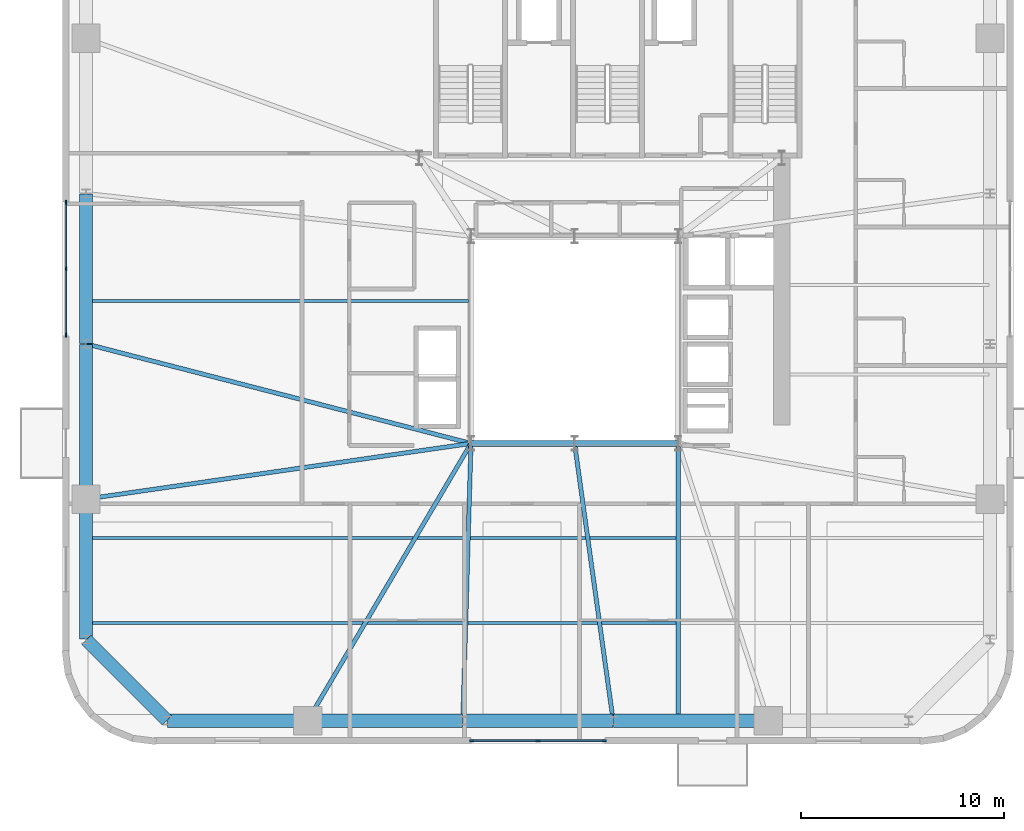
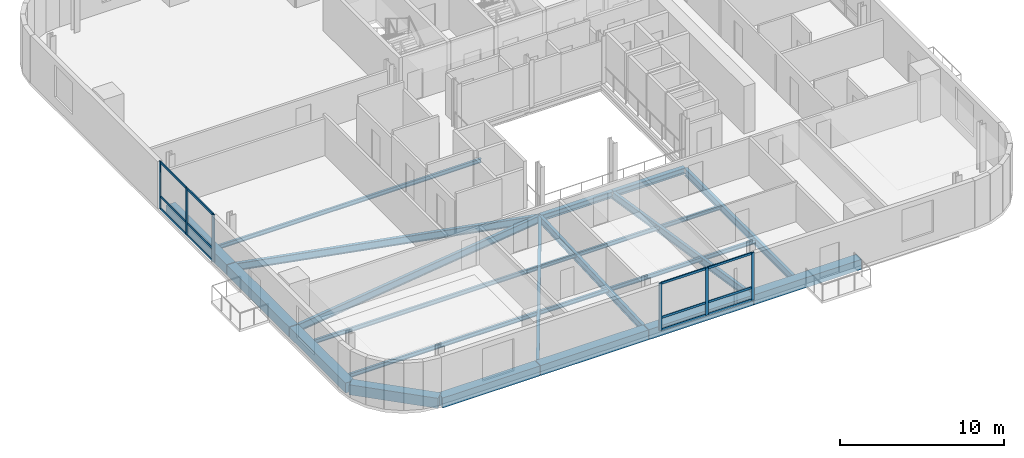
# One storey, part 3 of 15: 19 beams, 18 members, 2 elements without a shape of their own.
"""IFC4 building model written with IfcOpenShell, lengths in metres."""

from ifc_helpers import new_model, si_unit, direction, frame, origin, origin_2d, place, context, subcontext, project, spatial, rectangle, i_section, extrude, source, transform, mapped, material, material_profile, profile_set, type_object, element, aggregate, save


model = new_model("IFC4")

# Units and contexts
model_context = context("Model", 3, precision=1e-05, world=origin(), true_north=direction((0.0, 1.0)))
body_context = subcontext(model_context, "Body", "Model", "MODEL_VIEW")
ifc_project = project(units=[si_unit("LENGTHUNIT", "METRE"), si_unit("AREAUNIT", "SQUARE_METRE"), si_unit("VOLUMEUNIT", "CUBIC_METRE"), si_unit("PLANEANGLEUNIT", "RADIAN"), si_unit("MASSUNIT", "GRAM", prefix="KILO")], contexts=[model_context])

# Site, building, storey
site_placement = place(None, origin())
site = spatial("IfcSite", under=ifc_project, at=site_placement, CompositionType="ELEMENT")
building_placement = place(site_placement, origin())
building = spatial("IfcBuilding", under=site, at=building_placement, Name="Vardaveli Station Tower", CompositionType="ELEMENT")
storey_placement = place(building_placement, frame((0.0, 0.0, 229.800048828125)))
storey = spatial("IfcBuildingStorey", under=building, at=storey_placement, Name="L59", CompositionType="ELEMENT", Elevation=229.800048828125)

# Beams
ifc_material_1 = material(Name="Structural steel S355J2", Category="steel")
ifc_material_profile_1 = material_profile(ifc_material_1, i_section(OverallWidth=0.300048828125, OverallDepth=0.449951171875, WebThickness=0.013916015625, FlangeThickness=0.02587890625, FilletRadius=0.027099609375, at=origin_2d()), Name="HEB 450")
ifc_profile_set_1 = profile_set([ifc_material_profile_1], Name="Structural steel S355J2")
beam_type_1 = type_object("IfcBeamType", Name="BM-HEB450", PredefinedType="BEAM", material=ifc_profile_set_1)
shared_shape_1 = source(origin(), body_context, "Body", "SweptSolid", [
    extrude(i_section(OverallWidth=0.300048828125, OverallDepth=0.449951171875, WebThickness=0.013916015625, FlangeThickness=0.02587890625, FilletRadius=0.027099609375, at=origin_2d()), origin(), (0.0, 0.0, 1.0), 5.06005859375),
])
beam_1_placement = place(storey_placement, frame((31.219970703125, 16.60009765625, -0.445068359375), z_axis=(1.0, 0.0, 0.0), x_axis=(0.0, 1.0, 0.0)))
element("IfcBeam", 1, at=beam_1_placement, inside=storey, type_object=beam_type_1, Name="ABM-L59-01", PredefinedType="BEAM", context=body_context, shape_type="MappedRepresentation", body=[
    mapped(shared_shape_1, transform((0.0, 0.0, 0.0), scale=1.0)),
])
shared_shape_2 = source(origin(), body_context, "Body", "SweptSolid", [
    extrude(i_section(OverallWidth=0.300048828125, OverallDepth=0.449951171875, WebThickness=0.013916015625, FlangeThickness=0.02587890625, FilletRadius=0.027099609375, at=origin_2d()), origin(), (0.0, 0.0, 1.0), 5.059814453125),
])
beam_2_placement = place(storey_placement, frame((36.320068359375, 16.60009765625, -0.445068359375), z_axis=(1.0, 0.0, 0.0), x_axis=(0.0, 1.0, 0.0)))
element("IfcBeam", 2, at=beam_2_placement, inside=storey, type_object=beam_type_1, Name="ABM-L59-02", PredefinedType="BEAM", context=body_context, shape_type="MappedRepresentation", body=[
    mapped(shared_shape_2, transform((0.0, 0.0, 0.0), scale=1.0)),
])
ifc_material_2 = material(Name="Precast concrete C45/55", Category="concrete")
ifc_material_profile_2 = material_profile(ifc_material_2, rectangle(XDim=0.64990234375, YDim=0.75, at=origin_2d()), Name="LPB 650x750")
ifc_profile_set_2 = profile_set([ifc_material_profile_2], Name="Precast concrete C45/55")
beam_type_2 = type_object("IfcBeamType", Name="BM-LPB-750", PredefinedType="BEAM", material=ifc_profile_set_2)
shared_shape_3 = source(origin(), body_context, "Body", "SweptSolid", [
    extrude(rectangle(XDim=0.64990234375, YDim=0.75, at=origin_2d()), origin(), (0.0, 0.0, 1.0), 7.60009765625),
])
for number, where, z_axis, x_axis, name in (
    (3, (23.179931640625, 2.949951171875, -0.594970703125), (1.0, 0.0, 0.0), (0.0, 1.0, 0.0), "RBM-L59-01"),
    (4, (38.219970703125, 2.949951171875, -0.594970703125), (1.0, 0.0, 0.0), (0.0, 1.0, 0.0), "RBM-L59-03"),
    (5, (12.25, 21.47998046875, -0.594970703125), (0.0, -1.0, 0.0), (1.0, 0.0, 0.0), "RBM-L59-21"),
):
    element("IfcBeam", number, at=place(storey_placement, frame(where, z_axis=z_axis, x_axis=x_axis)), inside=storey, type_object=beam_type_2, Name=name, PredefinedType="BEAM", context=body_context, shape_type="MappedRepresentation", body=[
        mapped(shared_shape_3, transform((0.0, 0.0, 0.0), scale=1.0)),
    ])
shared_shape_4 = source(origin(), body_context, "Body", "SweptSolid", [
    extrude(rectangle(XDim=0.64990234375, YDim=0.75, at=origin_2d()), origin(), (0.0, 0.0, 1.0), 7.35986328125),
])
for number, where, z_axis, x_axis, name in (
    (6, (30.820068359375, 2.949951171875, -0.594970703125), (1.0, 0.0, 0.0), (0.0, 1.0, 0.0), "RBM-L59-02"),
    (7, (12.25, 28.8798828125, -0.594970703125), (0.0, -1.0, 0.0), (1.0, 0.0, 0.0), "RBM-L59-20"),
):
    element("IfcBeam", number, at=place(storey_placement, frame(where, z_axis=z_axis, x_axis=x_axis)), inside=storey, type_object=beam_type_2, Name=name, PredefinedType="BEAM", context=body_context, shape_type="MappedRepresentation", body=[
        mapped(shared_shape_4, transform((0.0, 0.0, 0.0), scale=1.0)),
    ])
shared_shape_5 = source(origin(), body_context, "Body", "SweptSolid", [
    extrude(rectangle(XDim=0.64990234375, YDim=0.75, at=origin_2d()), origin(), (0.0, 0.0, 1.0), 6.869873046875),
])
beam_3_placement = place(storey_placement, frame((16.27001953125, 2.949951171875, -0.594970703125), z_axis=(1.0, 0.0, 0.0), x_axis=(0.0, 1.0, 0.0)))
element("IfcBeam", 8, at=beam_3_placement, inside=storey, type_object=beam_type_2, Name="RBM-L59-24", PredefinedType="BEAM", context=body_context, shape_type="MappedRepresentation", body=[
    mapped(shared_shape_5, transform((0.0, 0.0, 0.0), scale=1.0)),
])
shared_shape_6 = source(origin(), body_context, "Body", "SweptSolid", [
    extrude(rectangle(XDim=0.64990234375, YDim=0.75, at=origin_2d()), origin(), (0.0, 0.0, 1.0), 5.61669921875),
])
beam_4_placement = place(storey_placement, frame((12.26416015625, 6.935791015625, -0.594970703125), z_axis=(0.707106781187, -0.707106781187, 0.0), x_axis=(0.707106781187, 0.707106781187, 0.0)))
element("IfcBeam", 9, at=beam_4_placement, inside=storey, type_object=beam_type_2, Name="RBM-L59-23", PredefinedType="BEAM", context=body_context, shape_type="MappedRepresentation", body=[
    mapped(shared_shape_6, transform((0.0, 0.0, 0.0), scale=1.0)),
])
shared_shape_7 = source(origin(), body_context, "Body", "SweptSolid", [
    extrude(rectangle(XDim=0.64990234375, YDim=0.75, at=origin_2d()), origin(), (0.0, 0.0, 1.0), 6.8701171875),
])
beam_5_placement = place(storey_placement, frame((12.25, 13.840087890625, -0.594970703125), z_axis=(0.0, -1.0, 0.0), x_axis=(1.0, 0.0, 0.0)))
element("IfcBeam", 10, at=beam_5_placement, inside=storey, type_object=beam_type_2, Name="RBM-L59-22", PredefinedType="BEAM", context=body_context, shape_type="MappedRepresentation", body=[
    mapped(shared_shape_7, transform((0.0, 0.0, 0.0), scale=1.0)),
])
ifc_material_profile_3 = material_profile(ifc_material_1, i_section(OverallWidth=0.2099609375, OverallDepth=0.550048828125, WebThickness=0.010986328125, FlangeThickness=0.01708984375, FilletRadius=0.02392578125, at=origin_2d()), Name="IPE 550")
ifc_profile_set_3 = profile_set([ifc_material_profile_3], Name="Structural steel S355J2")
beam_type_3 = type_object("IfcBeamType", Name="BM-IPE550", PredefinedType="BEAM", material=ifc_profile_set_3)
shared_shape_8 = source(origin(), body_context, "Body", "SweptSolid", [
    extrude(i_section(OverallWidth=0.2099609375, OverallDepth=0.550048828125, WebThickness=0.010986328125, FlangeThickness=0.01708984375, FilletRadius=0.02392578125, at=origin_2d()), origin(), (0.0, 0.0, 1.0), 13.469970703125),
])
beam_6_placement = place(storey_placement, frame((41.39990234375, 2.989990234375, -0.4951171875), z_axis=(0.0, 1.0, 0.0), x_axis=(-1.0, 0.0, 0.0)))
element("IfcBeam", 11, at=beam_6_placement, inside=storey, type_object=beam_type_3, Name="NSM-L59-S2", PredefinedType="BEAM", context=body_context, shape_type="MappedRepresentation", body=[
    mapped(shared_shape_8, transform((0.0, 0.0, 0.0), scale=1.0)),
])
shared_shape_9 = source(origin(), body_context, "Body", "SweptSolid", [
    extrude(i_section(OverallWidth=0.2099609375, OverallDepth=0.550048828125, WebThickness=0.010986328125, FlangeThickness=0.01708984375, FilletRadius=0.02392578125, at=origin_2d()), origin(), (0.0, 0.0, 1.0), 15.8017578125),
])
beam_7_placement = place(storey_placement, frame((23.170166015625, 2.96728515625, -0.4951171875), z_axis=(0.507521713546, 0.86163896748, 0.0), x_axis=(-0.86163896748, 0.507521713546, 0.0)))
element("IfcBeam", 12, at=beam_7_placement, inside=storey, type_object=beam_type_3, Name="GBM-L59-01", PredefinedType="BEAM", context=body_context, shape_type="MappedRepresentation", body=[
    mapped(shared_shape_9, transform((0.0, 0.0, 0.0), scale=1.0)),
])
shared_shape_10 = source(origin(), body_context, "Body", "SweptSolid", [
    extrude(i_section(OverallWidth=0.2099609375, OverallDepth=0.550048828125, WebThickness=0.010986328125, FlangeThickness=0.01708984375, FilletRadius=0.02392578125, at=origin_2d()), origin(), (0.0, 0.0, 1.0), 13.615966796875),
])
beam_8_placement = place(storey_placement, frame((30.800537109375, 2.969970703125, -0.4951171875), z_axis=(0.029298411379, 0.9995707094, 0.0), x_axis=(-0.9995707094, 0.029298411379, 0.0)))
element("IfcBeam", 13, at=beam_8_placement, inside=storey, type_object=beam_type_3, Name="GBM-L59-02", PredefinedType="BEAM", context=body_context, shape_type="MappedRepresentation", body=[
    mapped(shared_shape_10, transform((0.0, 0.0, 0.0), scale=1.0)),
])
shared_shape_11 = source(origin(), body_context, "Body", "SweptSolid", [
    extrude(i_section(OverallWidth=0.2099609375, OverallDepth=0.550048828125, WebThickness=0.010986328125, FlangeThickness=0.01708984375, FilletRadius=0.02392578125, at=origin_2d()), origin(), (0.0, 0.0, 1.0), 13.741455078125),
])
beam_9_placement = place(storey_placement, frame((38.197265625, 2.9697265625, -0.4951171875), z_axis=(-0.137868554024, 0.990450534762, 0.0), x_axis=(-0.990450534762, -0.137868554024, 0.0)))
element("IfcBeam", 14, at=beam_9_placement, inside=storey, type_object=beam_type_3, Name="GBM-L59-03", PredefinedType="BEAM", context=body_context, shape_type="MappedRepresentation", body=[
    mapped(shared_shape_11, transform((0.0, 0.0, 0.0), scale=1.0)),
])
shared_shape_12 = source(origin(), body_context, "Body", "SweptSolid", [
    extrude(i_section(OverallWidth=0.2099609375, OverallDepth=0.550048828125, WebThickness=0.010986328125, FlangeThickness=0.01708984375, FilletRadius=0.02392578125, at=origin_2d()), origin(), (0.0, 0.0, 1.0), 19.533447265625),
])
beam_10_placement = place(storey_placement, frame((12.269287109375, 21.494873046875, -0.4951171875), z_axis=(0.968159081778, -0.250335759272, 0.0), x_axis=(0.250335759272, 0.968159081778, 0.0)))
element("IfcBeam", 15, at=beam_10_placement, inside=storey, type_object=beam_type_3, Name="GBM-L59-09", PredefinedType="BEAM", context=body_context, shape_type="MappedRepresentation", body=[
    mapped(shared_shape_12, transform((0.0, 0.0, 0.0), scale=1.0)),
])
shared_shape_13 = source(origin(), body_context, "Body", "SweptSolid", [
    extrude(i_section(OverallWidth=0.2099609375, OverallDepth=0.550048828125, WebThickness=0.010986328125, FlangeThickness=0.01708984375, FilletRadius=0.02392578125, at=origin_2d()), origin(), (0.0, 0.0, 1.0), 19.107177734375),
])
beam_11_placement = place(storey_placement, frame((12.269775390625, 13.86279296875, -0.4951171875), z_axis=(0.989707072711, 0.143108036903, 0.0), x_axis=(-0.143108036903, 0.989707072711, 0.0)))
element("IfcBeam", 16, at=beam_11_placement, inside=storey, type_object=beam_type_3, Name="GBM-L59-10", PredefinedType="BEAM", context=body_context, shape_type="MappedRepresentation", body=[
    mapped(shared_shape_13, transform((0.0, 0.0, 0.0), scale=1.0)),
])
ifc_material_profile_4 = material_profile(ifc_material_1, i_section(OverallWidth=0.14990234375, OverallDepth=0.300048828125, WebThickness=0.007080078125, FlangeThickness=0.0107421875, FilletRadius=0.014892578125, at=origin_2d()), Name="IPE 300")
ifc_profile_set_4 = profile_set([ifc_material_profile_4], Name="Structural steel S355J2")
beam_type_4 = type_object("IfcBeamType", Name="BM-IPE300", PredefinedType="JOIST", material=ifc_profile_set_4)
shared_shape_14 = source(origin(), body_context, "Body", "SweptSolid", [
    extrude(i_section(OverallWidth=0.14990234375, OverallDepth=0.300048828125, WebThickness=0.007080078125, FlangeThickness=0.0107421875, FilletRadius=0.014892578125, at=origin_2d()), origin(), (0.0, 0.0, 1.0), 28.998046875),
])
for number, where, z_axis, x_axis, name in (
    (17, (12.2900390625, 7.75, -0.3701171875), (1.0, 0.0, 0.0), (0.0, 1.0, 0.0), "SJ-L59-S01"),
    (18, (12.2900390625, 11.949951171875, -0.3701171875), (1.0, 0.0, 0.0), (0.0, 1.0, 0.0), "SJ-L59-S03"),
):
    element("IfcBeam", number, at=place(storey_placement, frame(where, z_axis=z_axis, x_axis=x_axis)), inside=storey, type_object=beam_type_4, Name=name, PredefinedType="JOIST", context=body_context, shape_type="MappedRepresentation", body=[
        mapped(shared_shape_14, transform((0.0, 0.0, 0.0), scale=1.0)),
    ])
shared_shape_15 = source(origin(), body_context, "Body", "SweptSolid", [
    extrude(i_section(OverallWidth=0.14990234375, OverallDepth=0.300048828125, WebThickness=0.007080078125, FlangeThickness=0.0107421875, FilletRadius=0.014892578125, at=origin_2d()), origin(), (0.0, 0.0, 1.0), 18.7978515625),
])
beam_12_placement = place(storey_placement, frame((12.2900390625, 23.60009765625, -0.3701171875), z_axis=(1.0, 0.0, 0.0), x_axis=(0.0, 1.0, 0.0)))
element("IfcBeam", 19, at=beam_12_placement, inside=storey, type_object=beam_type_4, Name="SJ-L59-W06", PredefinedType="JOIST", context=body_context, shape_type="MappedRepresentation", body=[
    mapped(shared_shape_15, transform((0.0, 0.0, 0.0), scale=1.0)),
])

# Curtain wall, members
ifc_material_3 = material(Name="Travertine stone and solar-control glass", Category="masonry")
curtain_wall_type = type_object("IfcCurtainWallType", Name="CW-SYS-5", PredefinedType="NOTDEFINED", material=ifc_material_3)
curtain_wall_1_placement = place(storey_placement, origin())
curtain_wall_1 = element("IfcCurtainWall", 20, at=curtain_wall_1_placement, inside=storey, type_object=curtain_wall_type, Name="CW-L59-S", PredefinedType="NOTDEFINED")
ifc_material_4 = material(Name="Anodised aluminium alloy 6063-T6", Category="aluminium")
ifc_material_profile_5 = material_profile(ifc_material_4, rectangle(XDim=0.080078125, YDim=0.1650390625, at=origin_2d()), Name="CWT 80x165")
ifc_profile_set_5 = profile_set([ifc_material_profile_5], Name="Anodised aluminium alloy 6063-T6")
member_type_1 = type_object("IfcMemberType", Name="CW-SYS-5-TRAN", PredefinedType="NOTDEFINED", material=ifc_profile_set_5)
shared_shape_16 = source(origin(), body_context, "Body", "SweptSolid", [
    extrude(rectangle(XDim=0.080078125, YDim=0.1650390625, at=origin_2d()), origin(), (0.0, 0.0, 1.0), 3.179931640625),
])
member_1_placement = place(storey_placement, frame((31.280029296875, 1.9599609375, 0.0400390625), z_axis=(1.0, 0.0, 0.0), x_axis=(0.0, 1.0, 0.0)))
member_1 = element("IfcMember", 21, at=member_1_placement, type_object=member_type_1, Name="CW-5 transom 1.1", ObjectType="TRANSOM", PredefinedType="USERDEFINED", context=body_context, shape_type="MappedRepresentation", body=[
    mapped(shared_shape_16, transform((0.0, 0.0, 0.0), scale=1.0)),
])
member_2_placement = place(storey_placement, frame((31.280029296875, 1.9599609375, 0.949951171875), z_axis=(1.0, 0.0, 0.0), x_axis=(0.0, 1.0, 0.0)))
member_2 = element("IfcMember", 22, at=member_2_placement, type_object=member_type_1, Name="CW-5 transom 1.2", ObjectType="TRANSOM", PredefinedType="USERDEFINED", context=body_context, shape_type="MappedRepresentation", body=[
    mapped(shared_shape_16, transform((0.0, 0.0, 0.0), scale=1.0)),
])
member_3_placement = place(storey_placement, frame((31.280029296875, 1.9599609375, 3.489990234375), z_axis=(1.0, 0.0, 0.0), x_axis=(0.0, 1.0, 0.0)))
member_3 = element("IfcMember", 23, at=member_3_placement, type_object=member_type_1, Name="CW-5 transom 1.3", ObjectType="TRANSOM", PredefinedType="USERDEFINED", context=body_context, shape_type="MappedRepresentation", body=[
    mapped(shared_shape_16, transform((0.0, 0.0, 0.0), scale=1.0)),
])
member_4_placement = place(storey_placement, frame((34.5400390625, 1.9599609375, 0.0400390625), z_axis=(1.0, 0.0, 0.0), x_axis=(0.0, 1.0, 0.0)))
member_4 = element("IfcMember", 24, at=member_4_placement, type_object=member_type_1, Name="CW-5 transom 2.1", ObjectType="TRANSOM", PredefinedType="USERDEFINED", context=body_context, shape_type="MappedRepresentation", body=[
    mapped(shared_shape_16, transform((0.0, 0.0, 0.0), scale=1.0)),
])
member_5_placement = place(storey_placement, frame((34.5400390625, 1.9599609375, 0.949951171875), z_axis=(1.0, 0.0, 0.0), x_axis=(0.0, 1.0, 0.0)))
member_5 = element("IfcMember", 25, at=member_5_placement, type_object=member_type_1, Name="CW-5 transom 2.2", ObjectType="TRANSOM", PredefinedType="USERDEFINED", context=body_context, shape_type="MappedRepresentation", body=[
    mapped(shared_shape_16, transform((0.0, 0.0, 0.0), scale=1.0)),
])
member_6_placement = place(storey_placement, frame((34.5400390625, 1.9599609375, 3.489990234375), z_axis=(1.0, 0.0, 0.0), x_axis=(0.0, 1.0, 0.0)))
member_6 = element("IfcMember", 26, at=member_6_placement, type_object=member_type_1, Name="CW-5 transom 2.3", ObjectType="TRANSOM", PredefinedType="USERDEFINED", context=body_context, shape_type="MappedRepresentation", body=[
    mapped(shared_shape_16, transform((0.0, 0.0, 0.0), scale=1.0)),
])

curtain_wall_2_placement = place(storey_placement, origin())
curtain_wall_2 = element("IfcCurtainWall", 27, at=curtain_wall_2_placement, inside=storey, type_object=curtain_wall_type, Name="CW-L59-W", PredefinedType="NOTDEFINED")
member_7_placement = place(storey_placement, frame((11.260009765625, 28.419921875, 0.0400390625), z_axis=(0.0, -1.0, 0.0), x_axis=(1.0, 0.0, 0.0)))
member_7 = element("IfcMember", 28, at=member_7_placement, type_object=member_type_1, Name="CW-5 transom 1.1", ObjectType="TRANSOM", PredefinedType="USERDEFINED", context=body_context, shape_type="MappedRepresentation", body=[
    mapped(shared_shape_16, transform((0.0, 0.0, 0.0), scale=1.0)),
])
member_8_placement = place(storey_placement, frame((11.260009765625, 28.419921875, 0.949951171875), z_axis=(0.0, -1.0, 0.0), x_axis=(1.0, 0.0, 0.0)))
member_8 = element("IfcMember", 29, at=member_8_placement, type_object=member_type_1, Name="CW-5 transom 1.2", ObjectType="TRANSOM", PredefinedType="USERDEFINED", context=body_context, shape_type="MappedRepresentation", body=[
    mapped(shared_shape_16, transform((0.0, 0.0, 0.0), scale=1.0)),
])
member_9_placement = place(storey_placement, frame((11.260009765625, 28.419921875, 3.489990234375), z_axis=(0.0, -1.0, 0.0), x_axis=(1.0, 0.0, 0.0)))
member_9 = element("IfcMember", 30, at=member_9_placement, type_object=member_type_1, Name="CW-5 transom 1.3", ObjectType="TRANSOM", PredefinedType="USERDEFINED", context=body_context, shape_type="MappedRepresentation", body=[
    mapped(shared_shape_16, transform((0.0, 0.0, 0.0), scale=1.0)),
])
member_10_placement = place(storey_placement, frame((11.260009765625, 25.159912109375, 0.0400390625), z_axis=(0.0, -1.0, 0.0), x_axis=(1.0, 0.0, 0.0)))
member_10 = element("IfcMember", 31, at=member_10_placement, type_object=member_type_1, Name="CW-5 transom 2.1", ObjectType="TRANSOM", PredefinedType="USERDEFINED", context=body_context, shape_type="MappedRepresentation", body=[
    mapped(shared_shape_16, transform((0.0, 0.0, 0.0), scale=1.0)),
])
member_11_placement = place(storey_placement, frame((11.260009765625, 25.159912109375, 0.949951171875), z_axis=(0.0, -1.0, 0.0), x_axis=(1.0, 0.0, 0.0)))
member_11 = element("IfcMember", 32, at=member_11_placement, type_object=member_type_1, Name="CW-5 transom 2.2", ObjectType="TRANSOM", PredefinedType="USERDEFINED", context=body_context, shape_type="MappedRepresentation", body=[
    mapped(shared_shape_16, transform((0.0, 0.0, 0.0), scale=1.0)),
])
member_12_placement = place(storey_placement, frame((11.260009765625, 25.159912109375, 3.489990234375), z_axis=(0.0, -1.0, 0.0), x_axis=(1.0, 0.0, 0.0)))
member_12 = element("IfcMember", 33, at=member_12_placement, type_object=member_type_1, Name="CW-5 transom 2.3", ObjectType="TRANSOM", PredefinedType="USERDEFINED", context=body_context, shape_type="MappedRepresentation", body=[
    mapped(shared_shape_16, transform((0.0, 0.0, 0.0), scale=1.0)),
])

# Member
ifc_material_profile_6 = material_profile(ifc_material_4, rectangle(XDim=0.080078125, YDim=0.205078125, at=origin_2d()), Name="CWM 80x205")
ifc_profile_set_6 = profile_set([ifc_material_profile_6], Name="Anodised aluminium alloy 6063-T6")
member_type_2 = type_object("IfcMemberType", Name="CW-SYS-5-MULL", PredefinedType="MULLION", material=ifc_profile_set_6)
shared_shape_17 = source(origin(), body_context, "Body", "SweptSolid", [
    extrude(rectangle(XDim=0.080078125, YDim=0.205078125, at=origin_2d()), origin(), (0.0, 0.0, 1.0), 3.530029296875),
])
member_13_placement = place(storey_placement, frame((31.239990234375, 1.9599609375, 0.0), z_axis=(0.0, 0.0, 1.0), x_axis=(0.0, 1.0, 0.0)))
member_13 = element("IfcMember", 34, at=member_13_placement, type_object=member_type_2, Name="CW-5 mullion 1", PredefinedType="MULLION", context=body_context, shape_type="MappedRepresentation", body=[
    mapped(shared_shape_17, transform((0.0, 0.0, 0.0), scale=1.0)),
])

member_14_placement = place(storey_placement, frame((34.5, 1.9599609375, 0.0), z_axis=(0.0, 0.0, 1.0), x_axis=(0.0, 1.0, 0.0)))
member_14 = element("IfcMember", 35, at=member_14_placement, type_object=member_type_2, Name="CW-5 mullion 2", PredefinedType="MULLION", context=body_context, shape_type="MappedRepresentation", body=[
    mapped(shared_shape_17, transform((0.0, 0.0, 0.0), scale=1.0)),
])

member_15_placement = place(storey_placement, frame((37.760009765625, 1.9599609375, 0.0), z_axis=(0.0, 0.0, 1.0), x_axis=(0.0, 1.0, 0.0)))
member_15 = element("IfcMember", 36, at=member_15_placement, type_object=member_type_2, Name="CW-5 mullion 3", PredefinedType="MULLION", context=body_context, shape_type="MappedRepresentation", body=[
    mapped(shared_shape_17, transform((0.0, 0.0, 0.0), scale=1.0)),
])

aggregate(curtain_wall_1, [member_13, member_14, member_15, member_1, member_2, member_3, member_4, member_5, member_6])

member_16_placement = place(storey_placement, frame((11.260009765625, 28.4599609375, 0.0), z_axis=(0.0, 0.0, 1.0), x_axis=(1.0, 0.0, 0.0)))
member_16 = element("IfcMember", 37, at=member_16_placement, type_object=member_type_2, Name="CW-5 mullion 1", PredefinedType="MULLION", context=body_context, shape_type="MappedRepresentation", body=[
    mapped(shared_shape_17, transform((0.0, 0.0, 0.0), scale=1.0)),
])

member_17_placement = place(storey_placement, frame((11.260009765625, 25.199951171875, 0.0), z_axis=(0.0, 0.0, 1.0), x_axis=(1.0, 0.0, 0.0)))
member_17 = element("IfcMember", 38, at=member_17_placement, type_object=member_type_2, Name="CW-5 mullion 2", PredefinedType="MULLION", context=body_context, shape_type="MappedRepresentation", body=[
    mapped(shared_shape_17, transform((0.0, 0.0, 0.0), scale=1.0)),
])

member_18_placement = place(storey_placement, frame((11.260009765625, 21.93994140625, 0.0), z_axis=(0.0, 0.0, 1.0), x_axis=(1.0, 0.0, 0.0)))
member_18 = element("IfcMember", 39, at=member_18_placement, type_object=member_type_2, Name="CW-5 mullion 3", PredefinedType="MULLION", context=body_context, shape_type="MappedRepresentation", body=[
    mapped(shared_shape_17, transform((0.0, 0.0, 0.0), scale=1.0)),
])

aggregate(curtain_wall_2, [member_16, member_17, member_18, member_7, member_8, member_9, member_10, member_11, member_12])

save(model, "model.ifc")
